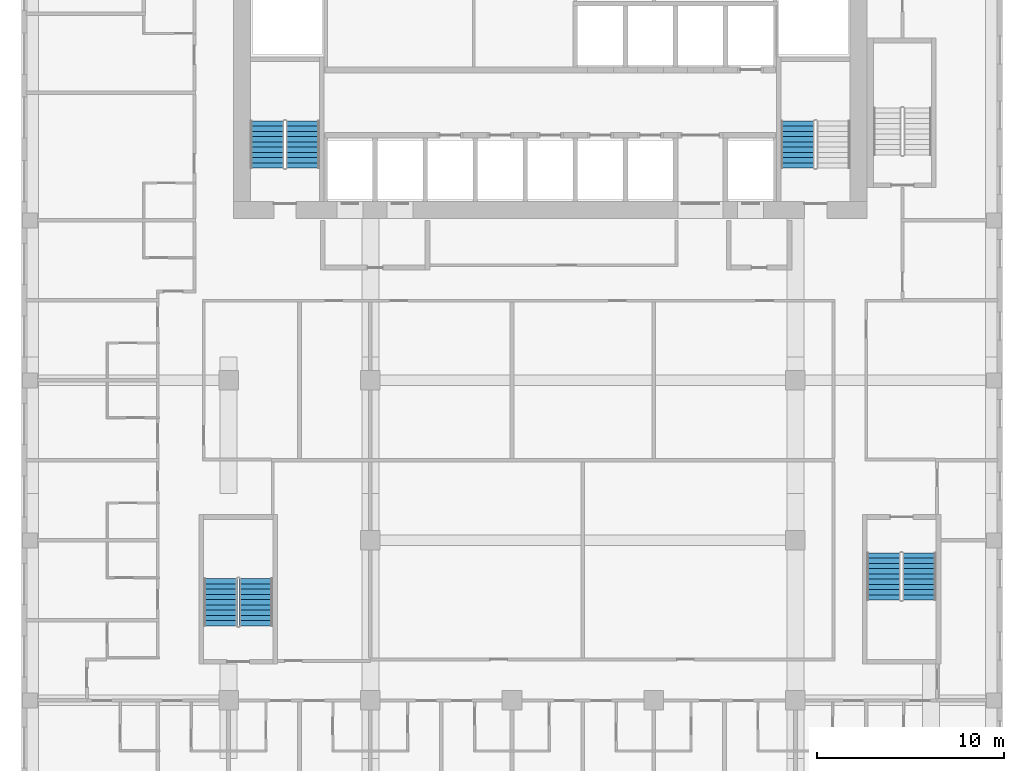
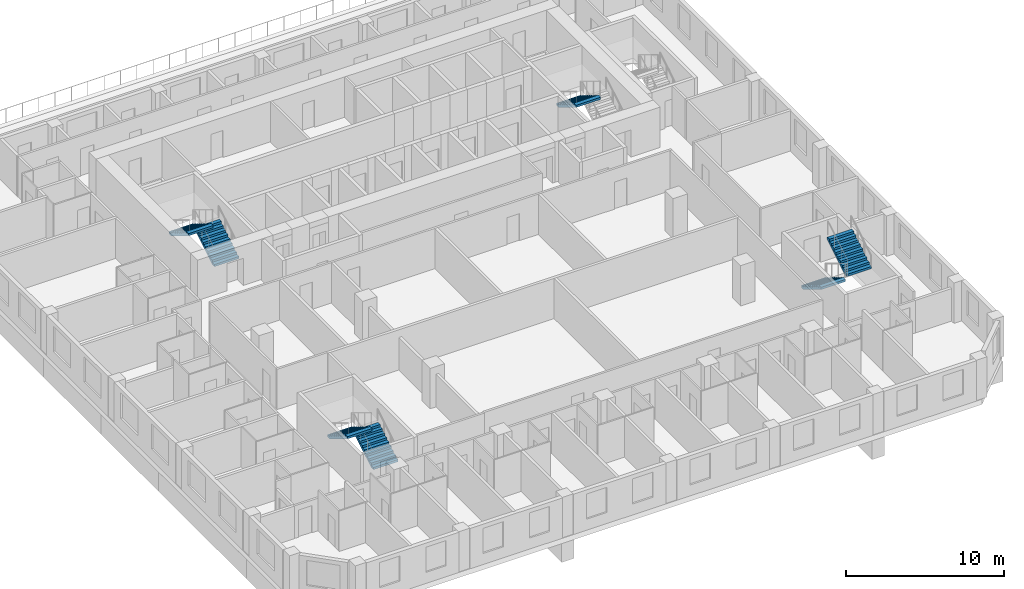
# One storey, part 12 of 16: 7 stair flights, 4 elements without a shape of their own.
"""IFC4 building model written with IfcOpenShell, lengths in metres."""

import ifcopenshell
import ifcopenshell.guid

model = None  # the IFC model being written
_history = None  # IfcOwnerHistory: only IFC2X3 demands one
_inside = {}  # id of a spatial element -> (the spatial element, [elements in it])
_under = {}  # id of a project, library or spatial element -> (it, [spatial elements below it])
_declared = {}  # id of a project -> (the project, [libraries it declares])
_typed = {}  # id of a type object -> (the type object, [elements of that type])
_made_of = {}  # id of a material, layer set ... -> (it, [elements and type objects made of it])


def new_model(schema):
    """Start an empty IFC model of exactly this schema.

    Asked for "IFC4X3", IfcOpenShell would pick the latest addendum, in which some entities
    have other attributes; the version numbers below select the first issue.
    IFC2X3 requires an IfcOwnerHistory on every rooted entity: one is made here for all.
    """
    global model, _history
    if schema == "IFC4X3":
        model = ifcopenshell.file(schema_version=(4, 3, 0, 0))
    else:
        model = ifcopenshell.file(schema=schema)
    _inside.clear()
    _under.clear()
    _declared.clear()
    _typed.clear()
    _made_of.clear()
    _history = None
    if model.schema == "IFC2X3":
        org = make("IfcOrganization", Name="unknown")
        user = make(
            "IfcPersonAndOrganization",
            ThePerson=make("IfcPerson", FamilyName="unknown"),
            TheOrganization=org,
        )
        app = make(
            "IfcApplication",
            ApplicationDeveloper=org,
            Version="unknown",
            ApplicationFullName="unknown",
            ApplicationIdentifier="unknown",
        )
        _history = make(
            "IfcOwnerHistory",
            OwningUser=user,
            OwningApplication=app,
            ChangeAction="ADDED",
            CreationDate=0,
        )
    return model


def make(cls, **values):
    """One entity of the class cls with the attributes given. An attribute that is None is left unset."""
    return model.create_entity(
        cls, **{name: value for name, value in values.items() if value is not None}
    )


def rooted(cls, **values):
    """An entity with a GlobalId (a new one), such as an element, a storey or a relation."""
    return make(cls, GlobalId=ifcopenshell.guid.new(), OwnerHistory=_history, **values)


def si_unit(unit_type, name, prefix=None):
    """IfcSIUnit, for example si_unit("LENGTHUNIT", "METRE", prefix="MILLI")."""
    return make("IfcSIUnit", UnitType=unit_type, Prefix=prefix, Name=name)


def assignment(units):
    """IfcUnitAssignment: the units of a project."""
    return None if units is None else make("IfcUnitAssignment", Units=units)


def point(xyz):
    """IfcCartesianPoint."""
    return None if xyz is None else make("IfcCartesianPoint", Coordinates=xyz)


def direction(xyz):
    """IfcDirection."""
    return None if xyz is None else make("IfcDirection", DirectionRatios=xyz)


def frame(location, z_axis=None, x_axis=None):
    """IfcAxis2Placement3D, a coordinate frame: its origin and axes. An axis left out is left unset."""
    return make(
        "IfcAxis2Placement3D",
        Location=point(location),
        Axis=direction(z_axis),
        RefDirection=direction(x_axis),
    )


def origin():
    """The frame at (0, 0, 0) with its axes left unset."""
    return frame((0.0, 0.0, 0.0))


def place(relative_to, where):
    """IfcLocalPlacement: puts the frame where relative to a parent placement (None: the world)."""
    return make(
        "IfcLocalPlacement", PlacementRelTo=relative_to, RelativePlacement=where
    )


def context(
    kind, dimensions, precision=None, world=None, true_north=None, identifier=None
):
    """IfcGeometricRepresentationContext, for example the 3D "Model" context."""
    return make(
        "IfcGeometricRepresentationContext",
        ContextIdentifier=identifier,
        ContextType=kind,
        CoordinateSpaceDimension=dimensions,
        Precision=precision,
        WorldCoordinateSystem=world,
        TrueNorth=true_north,
    )


def subcontext(parent, identifier, kind, view, scale=None):
    """IfcGeometricRepresentationSubContext, for example "Body" below "Model"."""
    return make(
        "IfcGeometricRepresentationSubContext",
        ContextIdentifier=identifier,
        ContextType=kind,
        ParentContext=parent,
        TargetScale=scale,
        TargetView=view,
    )


def project(units=None, contexts=None):
    """IfcProject with its units and contexts."""
    return rooted(
        "IfcProject",
        Name="project",
        RepresentationContexts=contexts,
        UnitsInContext=assignment(units),
    )


def spatial(cls, under=None, at=None, **own):
    """A site, building, storey or space (cls), placed at a placement, below another one or the project."""
    s = rooted(cls, ObjectPlacement=at, **own)
    if under is not None:
        _under.setdefault(under.id(), (under, []))[1].append(s)
    return s


def point_list(points):
    """IfcCartesianPointList2D or 3D."""
    cls = (
        "IfcCartesianPointList2D" if len(points[0]) == 2 else "IfcCartesianPointList3D"
    )
    return make(cls, CoordList=points)


def triangles(points, corners, closed=None, point_numbers=None):
    """IfcTriangulatedFaceSet: each triangle names its three corners, points numbered from 1."""
    return make(
        "IfcTriangulatedFaceSet",
        Coordinates=point_list(points),
        Closed=closed,
        CoordIndex=corners,
        PnIndex=point_numbers,
    )


def shape(context_of_items, identifier, shape_type, items):
    """IfcShapeRepresentation: the items that make up one representation, for example the "Body"."""
    return make(
        "IfcShapeRepresentation",
        ContextOfItems=context_of_items,
        RepresentationIdentifier=identifier,
        RepresentationType=shape_type,
        Items=items,
    )


def source(mapping_origin, context_of_items, identifier, shape_type, items):
    """IfcRepresentationMap: a shape defined once, which mapped items show again and again."""
    return make(
        "IfcRepresentationMap",
        MappingOrigin=mapping_origin,
        MappedRepresentation=shape(context_of_items, identifier, shape_type, items),
    )


def transform(
    local_origin,
    x_axis=None,
    y_axis=None,
    z_axis=None,
    scale=None,
    scale2=None,
    scale3=None,
    uniform=True,
):
    """IfcCartesianTransformationOperator3D, or its non-uniform kind. x_axis, y_axis, z_axis: its Axis1, 2, 3."""
    if uniform:
        return make(
            "IfcCartesianTransformationOperator3D",
            Axis1=direction(x_axis),
            Axis2=direction(y_axis),
            LocalOrigin=point(local_origin),
            Scale=scale,
            Axis3=direction(z_axis),
        )
    return make(
        "IfcCartesianTransformationOperator3DnonUniform",
        Axis1=direction(x_axis),
        Axis2=direction(y_axis),
        LocalOrigin=point(local_origin),
        Scale=scale,
        Axis3=direction(z_axis),
        Scale2=scale2,
        Scale3=scale3,
    )


def mapped(mapping_source, mapping_target):
    """IfcMappedItem: shows the shape of a source again, moved by a transform."""
    return make(
        "IfcMappedItem", MappingSource=mapping_source, MappingTarget=mapping_target
    )


def material(Name=None, Category=None):
    """IfcMaterial."""
    return make("IfcMaterial", Name=Name, Category=Category)


def made_of(thing, what):
    """Note that an element or type object is made of a material, layer set ...; save() writes the relation."""
    if what is not None:
        _made_of.setdefault(what.id(), (what, []))[1].append(thing)
    return thing


def type_object(cls, material=None, **own):
    """A type object (cls), such as IfcWallType, which elements share."""
    return made_of(rooted(cls, **own), material)


def element(
    cls,
    number,
    at=None,
    inside=None,
    cuts=None,
    type_object=None,
    material=None,
    context=None,
    identifier="Body",
    shape_type=None,
    held_by="IfcProductDefinitionShape",
    body=None,
    shapes=None,
    **own,
):
    """One element of the class cls, such as IfcWall. Its Tag is "e" and its number.

    at: its placement. inside: the storey or other place that contains it. cuts: it is an
    opening in that element (IfcRelVoidsElement). A single representation is given by context,
    identifier, shape_type and body (its items); several are given by shapes. held_by: the class
    of the entity that holds the representations. save() writes the other relations.
    """
    e = rooted(cls, Tag="e%d" % number, ObjectPlacement=at, **own)
    if body is not None:
        shapes = [shape(context, identifier, shape_type, body)]
    if shapes is not None:
        e.Representation = make(held_by, Representations=shapes)
    if inside is not None:
        _inside.setdefault(inside.id(), (inside, []))[1].append(e)
    if cuts is not None:
        rooted(
            "IfcRelVoidsElement", RelatingBuildingElement=cuts, RelatedOpeningElement=e
        )
    if type_object is not None:
        _typed.setdefault(type_object.id(), (type_object, []))[1].append(e)
    return made_of(e, material)


def aggregate(whole, parts):
    """IfcRelAggregates: a whole, such as a stair, and the parts it consists of."""
    return rooted("IfcRelAggregates", RelatingObject=whole, RelatedObjects=parts)


def save(model, path):
    """Write the relations noted so far, then the file.

    IfcRelAggregates (storeys below a building ...), IfcRelContainedInSpatialStructure (elements
    in a storey), IfcRelDefinesByType, IfcRelAssociatesMaterial and IfcRelDeclares: one each for
    every whole, place, type object, material and project.
    """
    for whole, parts in _under.values():
        aggregate(whole, parts)
    for where, things in _inside.values():
        rooted(
            "IfcRelContainedInSpatialStructure",
            RelatedElements=things,
            RelatingStructure=where,
        )
    for kind, things in _typed.values():
        rooted("IfcRelDefinesByType", RelatedObjects=things, RelatingType=kind)
    for what, things in _made_of.values():
        rooted("IfcRelAssociatesMaterial", RelatedObjects=things, RelatingMaterial=what)
    for by, libraries in _declared.values():
        rooted("IfcRelDeclares", RelatingContext=by, RelatedDefinitions=libraries)
    model.write(path)


model = new_model("IFC4")

# Units and contexts
model_context = context("Model", 3, precision=1e-05, world=origin(), true_north=direction((0.0, 1.0)))
body_context = subcontext(model_context, "Body", "Model", "MODEL_VIEW")
ifc_project = project(units=[si_unit("LENGTHUNIT", "METRE"), si_unit("AREAUNIT", "SQUARE_METRE"), si_unit("VOLUMEUNIT", "CUBIC_METRE"), si_unit("PLANEANGLEUNIT", "RADIAN"), si_unit("MASSUNIT", "GRAM", prefix="KILO")], contexts=[model_context])

# Site, building, storey
site_placement = place(None, origin())
site = spatial("IfcSite", under=ifc_project, at=site_placement, CompositionType="ELEMENT")
building_placement = place(site_placement, origin())
building = spatial("IfcBuilding", under=site, at=building_placement, Name="Kilnfold Tower and Market Hall", CompositionType="ELEMENT")
storey_placement = place(building_placement, frame((0.0, 0.0, 168.5)))
storey = spatial("IfcBuildingStorey", under=building, at=storey_placement, Name="L39", CompositionType="ELEMENT", Elevation=168.5)

# Stair, stair flights
ifc_material_1 = material(Name="Concrete C40/50", Category="concrete")
stair_type = type_object("IfcStairType", Name="CORE STAIR 1800", PredefinedType="HALF_TURN_STAIR", material=ifc_material_1)
stair_1_placement = place(storey_placement, origin())
stair_1 = element("IfcStair", 1, at=stair_1_placement, inside=storey, type_object=stair_type, Name="L39 ST1", PredefinedType="HALF_TURN_STAIR")
ifc_material_2 = material(Name="Concrete C40/50", Category="concrete")
stair_flight_type = type_object("IfcStairFlightType", Name="CORE STAIR FLIGHT 1800", PredefinedType="STRAIGHT", material=ifc_material_2)
shared_shape = source(origin(), body_context, "Body", "Tessellation", [
    triangles([(0.0, 0.89990234375, 0.0), (0.0, 0.78759765625, 0.0), (0.0, 0.675048828125, 0.0), (0.0, 0.5625, 0.0), (0.0, 0.449951171875, 0.0), (0.0, 0.33740234375, 0.0), (0.0, 0.22509765625, 0.0), (0.0, 0.112548828125, 0.0), (0.0, 0.0, 0.0), (0.0, -0.112548828125, 0.0), (0.0, -0.22509765625, 0.0), (0.0, -0.33740234375, 0.0), (0.0, -0.449951171875, 0.0), (0.0, -0.5625, 0.0), (0.0, -0.675048828125, 0.0), (0.0, -0.78759765625, 0.0), (0.0, -0.89990234375, 0.0), (0.0, 0.89990234375, 0.169921875), (0.0, 0.78759765625, 0.169921875), (0.0, 0.675048828125, 0.169921875), (0.0, 0.5625, 0.169921875), (0.0, 0.449951171875, 0.169921875), (0.0, 0.33740234375, 0.169921875), (0.0, 0.22509765625, 0.169921875), (0.0, 0.112548828125, 0.169921875), (0.0, 0.0, 0.169921875), (0.0, -0.112548828125, 0.169921875), (0.0, -0.22509765625, 0.169921875), (0.0, -0.33740234375, 0.169921875), (0.0, -0.449951171875, 0.169921875), (0.0, -0.5625, 0.169921875), (0.0, -0.675048828125, 0.169921875), (0.0, -0.78759765625, 0.169921875), (0.0, -0.89990234375, 0.169921875), (0.280029296875, 0.89990234375, 0.169921875), (0.280029296875, 0.78759765625, 0.169921875), (0.280029296875, 0.675048828125, 0.169921875), (0.280029296875, 0.5625, 0.169921875), (0.280029296875, 0.449951171875, 0.169921875), (0.280029296875, 0.33740234375, 0.169921875), (0.280029296875, 0.22509765625, 0.169921875), (0.280029296875, 0.112548828125, 0.169921875), (0.280029296875, 0.0, 0.169921875), (0.280029296875, -0.112548828125, 0.169921875), (0.280029296875, -0.22509765625, 0.169921875), (0.280029296875, -0.33740234375, 0.169921875), (0.280029296875, -0.449951171875, 0.169921875), (0.280029296875, -0.5625, 0.169921875), (0.280029296875, -0.675048828125, 0.169921875), (0.280029296875, -0.78759765625, 0.169921875), (0.280029296875, -0.89990234375, 0.169921875), (0.280029296875, 0.89990234375, 0.340087890625), (0.280029296875, 0.78759765625, 0.340087890625), (0.280029296875, 0.675048828125, 0.340087890625), (0.280029296875, 0.5625, 0.340087890625), (0.280029296875, 0.449951171875, 0.340087890625), (0.280029296875, 0.33740234375, 0.340087890625), (0.280029296875, 0.22509765625, 0.340087890625), (0.280029296875, 0.112548828125, 0.340087890625), (0.280029296875, 0.0, 0.340087890625), (0.280029296875, -0.112548828125, 0.340087890625), (0.280029296875, -0.22509765625, 0.340087890625), (0.280029296875, -0.33740234375, 0.340087890625), (0.280029296875, -0.449951171875, 0.340087890625), (0.280029296875, -0.5625, 0.340087890625), (0.280029296875, -0.675048828125, 0.340087890625), (0.280029296875, -0.78759765625, 0.340087890625), (0.280029296875, -0.89990234375, 0.340087890625), (0.56005859375, 0.89990234375, 0.340087890625), (0.56005859375, 0.78759765625, 0.340087890625), (0.56005859375, 0.675048828125, 0.340087890625), (0.56005859375, 0.5625, 0.340087890625), (0.56005859375, 0.449951171875, 0.340087890625), (0.56005859375, 0.33740234375, 0.340087890625), (0.56005859375, 0.22509765625, 0.340087890625), (0.56005859375, 0.112548828125, 0.340087890625), (0.56005859375, 0.0, 0.340087890625), (0.56005859375, -0.112548828125, 0.340087890625), (0.56005859375, -0.22509765625, 0.340087890625), (0.56005859375, -0.33740234375, 0.340087890625), (0.56005859375, -0.449951171875, 0.340087890625), (0.56005859375, -0.5625, 0.340087890625), (0.56005859375, -0.675048828125, 0.340087890625), (0.56005859375, -0.78759765625, 0.340087890625), (0.56005859375, -0.89990234375, 0.340087890625), (0.56005859375, 0.89990234375, 0.510009765625), (0.56005859375, 0.78759765625, 0.510009765625), (0.56005859375, 0.675048828125, 0.510009765625), (0.56005859375, 0.5625, 0.510009765625), (0.56005859375, 0.449951171875, 0.510009765625), (0.56005859375, 0.33740234375, 0.510009765625), (0.56005859375, 0.22509765625, 0.510009765625), (0.56005859375, 0.112548828125, 0.510009765625), (0.56005859375, 0.0, 0.510009765625), (0.56005859375, -0.112548828125, 0.510009765625), (0.56005859375, -0.22509765625, 0.510009765625), (0.56005859375, -0.33740234375, 0.510009765625), (0.56005859375, -0.449951171875, 0.510009765625), (0.56005859375, -0.5625, 0.510009765625), (0.56005859375, -0.675048828125, 0.510009765625), (0.56005859375, -0.78759765625, 0.510009765625), (0.56005859375, -0.89990234375, 0.510009765625), (0.840087890625, 0.89990234375, 0.510009765625), (0.840087890625, 0.78759765625, 0.510009765625), (0.840087890625, 0.675048828125, 0.510009765625), (0.840087890625, 0.5625, 0.510009765625), (0.840087890625, 0.449951171875, 0.510009765625), (0.840087890625, 0.33740234375, 0.510009765625), (0.840087890625, 0.22509765625, 0.510009765625), (0.840087890625, 0.112548828125, 0.510009765625), (0.840087890625, 0.0, 0.510009765625), (0.840087890625, -0.112548828125, 0.510009765625), (0.840087890625, -0.22509765625, 0.510009765625), (0.840087890625, -0.33740234375, 0.510009765625), (0.840087890625, -0.449951171875, 0.510009765625), (0.840087890625, -0.5625, 0.510009765625), (0.840087890625, -0.675048828125, 0.510009765625), (0.840087890625, -0.78759765625, 0.510009765625), (0.840087890625, -0.89990234375, 0.510009765625), (0.840087890625, 0.89990234375, 0.679931640625), (0.840087890625, 0.78759765625, 0.679931640625), (0.840087890625, 0.675048828125, 0.679931640625), (0.840087890625, 0.5625, 0.679931640625), (0.840087890625, 0.449951171875, 0.679931640625), (0.840087890625, 0.33740234375, 0.679931640625), (0.840087890625, 0.22509765625, 0.679931640625), (0.840087890625, 0.112548828125, 0.679931640625), (0.840087890625, 0.0, 0.679931640625), (0.840087890625, -0.112548828125, 0.679931640625), (0.840087890625, -0.22509765625, 0.679931640625), (0.840087890625, -0.33740234375, 0.679931640625), (0.840087890625, -0.449951171875, 0.679931640625), (0.840087890625, -0.5625, 0.679931640625), (0.840087890625, -0.675048828125, 0.679931640625), (0.840087890625, -0.78759765625, 0.679931640625), (0.840087890625, -0.89990234375, 0.679931640625), (1.1201171875, 0.89990234375, 0.679931640625), (1.1201171875, 0.78759765625, 0.679931640625), (1.1201171875, 0.675048828125, 0.679931640625), (1.1201171875, 0.5625, 0.679931640625), (1.1201171875, 0.449951171875, 0.679931640625), (1.1201171875, 0.33740234375, 0.679931640625), (1.1201171875, 0.22509765625, 0.679931640625), (1.1201171875, 0.112548828125, 0.679931640625), (1.1201171875, 0.0, 0.679931640625), (1.1201171875, -0.112548828125, 0.679931640625), (1.1201171875, -0.22509765625, 0.679931640625), (1.1201171875, -0.33740234375, 0.679931640625), (1.1201171875, -0.449951171875, 0.679931640625), (1.1201171875, -0.5625, 0.679931640625), (1.1201171875, -0.675048828125, 0.679931640625), (1.1201171875, -0.78759765625, 0.679931640625), (1.1201171875, -0.89990234375, 0.679931640625), (1.1201171875, 0.89990234375, 0.85009765625), (1.1201171875, 0.78759765625, 0.85009765625), (1.1201171875, 0.675048828125, 0.85009765625), (1.1201171875, 0.5625, 0.85009765625), (1.1201171875, 0.449951171875, 0.85009765625), (1.1201171875, 0.33740234375, 0.85009765625), (1.1201171875, 0.22509765625, 0.85009765625), (1.1201171875, 0.112548828125, 0.85009765625), (1.1201171875, 0.0, 0.85009765625), (1.1201171875, -0.112548828125, 0.85009765625), (1.1201171875, -0.22509765625, 0.85009765625), (1.1201171875, -0.33740234375, 0.85009765625), (1.1201171875, -0.449951171875, 0.85009765625), (1.1201171875, -0.5625, 0.85009765625), (1.1201171875, -0.675048828125, 0.85009765625), (1.1201171875, -0.78759765625, 0.85009765625), (1.1201171875, -0.89990234375, 0.85009765625), (1.39990234375, 0.89990234375, 0.85009765625), (1.39990234375, 0.78759765625, 0.85009765625), (1.39990234375, 0.675048828125, 0.85009765625), (1.39990234375, 0.5625, 0.85009765625), (1.39990234375, 0.449951171875, 0.85009765625), (1.39990234375, 0.33740234375, 0.85009765625), (1.39990234375, 0.22509765625, 0.85009765625), (1.39990234375, 0.112548828125, 0.85009765625), (1.39990234375, 0.0, 0.85009765625), (1.39990234375, -0.112548828125, 0.85009765625), (1.39990234375, -0.22509765625, 0.85009765625), (1.39990234375, -0.33740234375, 0.85009765625), (1.39990234375, -0.449951171875, 0.85009765625), (1.39990234375, -0.5625, 0.85009765625), (1.39990234375, -0.675048828125, 0.85009765625), (1.39990234375, -0.78759765625, 0.85009765625), (1.39990234375, -0.89990234375, 0.85009765625), (1.39990234375, 0.89990234375, 1.02001953125), (1.39990234375, 0.78759765625, 1.02001953125), (1.39990234375, 0.675048828125, 1.02001953125), (1.39990234375, 0.5625, 1.02001953125), (1.39990234375, 0.449951171875, 1.02001953125), (1.39990234375, 0.33740234375, 1.02001953125), (1.39990234375, 0.22509765625, 1.02001953125), (1.39990234375, 0.112548828125, 1.02001953125), (1.39990234375, 0.0, 1.02001953125), (1.39990234375, -0.112548828125, 1.02001953125), (1.39990234375, -0.22509765625, 1.02001953125), (1.39990234375, -0.33740234375, 1.02001953125), (1.39990234375, -0.449951171875, 1.02001953125), (1.39990234375, -0.5625, 1.02001953125), (1.39990234375, -0.675048828125, 1.02001953125), (1.39990234375, -0.78759765625, 1.02001953125), (1.39990234375, -0.89990234375, 1.02001953125), (1.679931640625, 0.89990234375, 1.02001953125), (1.679931640625, 0.78759765625, 1.02001953125), (1.679931640625, 0.675048828125, 1.02001953125), (1.679931640625, 0.5625, 1.02001953125), (1.679931640625, 0.449951171875, 1.02001953125), (1.679931640625, 0.33740234375, 1.02001953125), (1.679931640625, 0.22509765625, 1.02001953125), (1.679931640625, 0.112548828125, 1.02001953125), (1.679931640625, 0.0, 1.02001953125), (1.679931640625, -0.112548828125, 1.02001953125), (1.679931640625, -0.22509765625, 1.02001953125), (1.679931640625, -0.33740234375, 1.02001953125), (1.679931640625, -0.449951171875, 1.02001953125), (1.679931640625, -0.5625, 1.02001953125), (1.679931640625, -0.675048828125, 1.02001953125), (1.679931640625, -0.78759765625, 1.02001953125), (1.679931640625, -0.89990234375, 1.02001953125), (1.679931640625, 0.89990234375, 1.18994140625), (1.679931640625, 0.78759765625, 1.18994140625), (1.679931640625, 0.675048828125, 1.18994140625), (1.679931640625, 0.5625, 1.18994140625), (1.679931640625, 0.449951171875, 1.18994140625), (1.679931640625, 0.33740234375, 1.18994140625), (1.679931640625, 0.22509765625, 1.18994140625), (1.679931640625, 0.112548828125, 1.18994140625), (1.679931640625, 0.0, 1.18994140625), (1.679931640625, -0.112548828125, 1.18994140625), (1.679931640625, -0.22509765625, 1.18994140625), (1.679931640625, -0.33740234375, 1.18994140625), (1.679931640625, -0.449951171875, 1.18994140625), (1.679931640625, -0.5625, 1.18994140625), (1.679931640625, -0.675048828125, 1.18994140625), (1.679931640625, -0.78759765625, 1.18994140625), (1.679931640625, -0.89990234375, 1.18994140625), (1.9599609375, 0.89990234375, 1.18994140625), (1.9599609375, 0.78759765625, 1.18994140625), (1.9599609375, 0.675048828125, 1.18994140625), (1.9599609375, 0.5625, 1.18994140625), (1.9599609375, 0.449951171875, 1.18994140625), (1.9599609375, 0.33740234375, 1.18994140625), (1.9599609375, 0.22509765625, 1.18994140625), (1.9599609375, 0.112548828125, 1.18994140625), (1.9599609375, 0.0, 1.18994140625), (1.9599609375, -0.112548828125, 1.18994140625), (1.9599609375, -0.22509765625, 1.18994140625), (1.9599609375, -0.33740234375, 1.18994140625), (1.9599609375, -0.449951171875, 1.18994140625), (1.9599609375, -0.5625, 1.18994140625), (1.9599609375, -0.675048828125, 1.18994140625), (1.9599609375, -0.78759765625, 1.18994140625), (1.9599609375, -0.89990234375, 1.18994140625), (1.9599609375, 0.89990234375, 1.360107421875), (1.9599609375, 0.78759765625, 1.360107421875), (1.9599609375, 0.675048828125, 1.360107421875), (1.9599609375, 0.5625, 1.360107421875), (1.9599609375, 0.449951171875, 1.360107421875), (1.9599609375, 0.33740234375, 1.360107421875), (1.9599609375, 0.22509765625, 1.360107421875), (1.9599609375, 0.112548828125, 1.360107421875), (1.9599609375, 0.0, 1.360107421875), (1.9599609375, -0.112548828125, 1.360107421875), (1.9599609375, -0.22509765625, 1.360107421875), (1.9599609375, -0.33740234375, 1.360107421875), (1.9599609375, -0.449951171875, 1.360107421875), (1.9599609375, -0.5625, 1.360107421875), (1.9599609375, -0.675048828125, 1.360107421875), (1.9599609375, -0.78759765625, 1.360107421875), (1.9599609375, -0.89990234375, 1.360107421875), (2.239990234375, 0.89990234375, 1.360107421875), (2.239990234375, 0.78759765625, 1.360107421875), (2.239990234375, 0.675048828125, 1.360107421875), (2.239990234375, 0.5625, 1.360107421875), (2.239990234375, 0.449951171875, 1.360107421875), (2.239990234375, 0.33740234375, 1.360107421875), (2.239990234375, 0.22509765625, 1.360107421875), (2.239990234375, 0.112548828125, 1.360107421875), (2.239990234375, 0.0, 1.360107421875), (2.239990234375, -0.112548828125, 1.360107421875), (2.239990234375, -0.22509765625, 1.360107421875), (2.239990234375, -0.33740234375, 1.360107421875), (2.239990234375, -0.449951171875, 1.360107421875), (2.239990234375, -0.5625, 1.360107421875), (2.239990234375, -0.675048828125, 1.360107421875), (2.239990234375, -0.78759765625, 1.360107421875), (2.239990234375, -0.89990234375, 1.360107421875), (2.239990234375, 0.89990234375, 1.530029296875), (2.239990234375, 0.78759765625, 1.530029296875), (2.239990234375, 0.675048828125, 1.530029296875), (2.239990234375, 0.5625, 1.530029296875), (2.239990234375, 0.449951171875, 1.530029296875), (2.239990234375, 0.33740234375, 1.530029296875), (2.239990234375, 0.22509765625, 1.530029296875), (2.239990234375, 0.112548828125, 1.530029296875), (2.239990234375, 0.0, 1.530029296875), (2.239990234375, -0.112548828125, 1.530029296875), (2.239990234375, -0.22509765625, 1.530029296875), (2.239990234375, -0.33740234375, 1.530029296875), (2.239990234375, -0.449951171875, 1.530029296875), (2.239990234375, -0.5625, 1.530029296875), (2.239990234375, -0.675048828125, 1.530029296875), (2.239990234375, -0.78759765625, 1.530029296875), (2.239990234375, -0.89990234375, 1.530029296875), (2.52001953125, 0.89990234375, 1.530029296875), (2.52001953125, 0.78759765625, 1.530029296875), (2.52001953125, 0.675048828125, 1.530029296875), (2.52001953125, 0.5625, 1.530029296875), (2.52001953125, 0.449951171875, 1.530029296875), (2.52001953125, 0.33740234375, 1.530029296875), (2.52001953125, 0.22509765625, 1.530029296875), (2.52001953125, 0.112548828125, 1.530029296875), (2.52001953125, 0.0, 1.530029296875), (2.52001953125, -0.112548828125, 1.530029296875), (2.52001953125, -0.22509765625, 1.530029296875), (2.52001953125, -0.33740234375, 1.530029296875), (2.52001953125, -0.449951171875, 1.530029296875), (2.52001953125, -0.5625, 1.530029296875), (2.52001953125, -0.675048828125, 1.530029296875), (2.52001953125, -0.78759765625, 1.530029296875), (2.52001953125, -0.89990234375, 1.530029296875), (2.52001953125, 0.89990234375, 1.354736328125), (2.52001953125, 0.78759765625, 1.354736328125), (2.52001953125, 0.675048828125, 1.354736328125), (2.52001953125, 0.5625, 1.354736328125), (2.52001953125, 0.449951171875, 1.354736328125), (2.52001953125, 0.33740234375, 1.354736328125), (2.52001953125, 0.22509765625, 1.354736328125), (2.52001953125, 0.112548828125, 1.354736328125), (2.52001953125, 0.0, 1.354736328125), (2.52001953125, -0.112548828125, 1.354736328125), (2.52001953125, -0.22509765625, 1.354736328125), (2.52001953125, -0.33740234375, 1.354736328125), (2.52001953125, -0.449951171875, 1.354736328125), (2.52001953125, -0.5625, 1.354736328125), (2.52001953125, -0.675048828125, 1.354736328125), (2.52001953125, -0.78759765625, 1.354736328125), (2.52001953125, -0.89990234375, 1.354736328125), (0.288818359375, 0.89990234375, 0.0), (0.288818359375, 0.78759765625, 0.0), (0.288818359375, 0.675048828125, 0.0), (0.288818359375, 0.5625, 0.0), (0.288818359375, 0.449951171875, 0.0), (0.288818359375, 0.33740234375, 0.0), (0.288818359375, 0.22509765625, 0.0), (0.288818359375, 0.112548828125, 0.0), (0.288818359375, 0.0, 0.0), (0.288818359375, -0.112548828125, 0.0), (0.288818359375, -0.22509765625, 0.0), (0.288818359375, -0.33740234375, 0.0), (0.288818359375, -0.449951171875, 0.0), (0.288818359375, -0.5625, 0.0), (0.288818359375, -0.675048828125, 0.0), (0.288818359375, -0.78759765625, 0.0), (0.288818359375, -0.89990234375, 0.0)], [[1, 324, 341], [17, 357, 340], [324, 290, 307], [340, 323, 306], [324, 273, 290], [340, 306, 289], [324, 256, 273], [340, 289, 272], [324, 239, 256], [340, 272, 255], [239, 205, 222], [255, 238, 221], [324, 205, 239], [340, 255, 221], [205, 171, 188], [221, 204, 187], [324, 171, 205], [340, 221, 187], [171, 137, 154], [187, 170, 153], [324, 137, 171], [340, 187, 153], [137, 103, 120], [153, 136, 119], [324, 103, 137], [340, 153, 119], [103, 69, 86], [119, 102, 85], [324, 69, 103], [340, 119, 85], [69, 35, 52], [85, 68, 51], [324, 35, 69], [340, 85, 51], [1, 35, 324], [17, 340, 51], [35, 1, 18], [51, 34, 17], [1, 19, 18], [1, 2, 19], [2, 20, 19], [2, 3, 20], [3, 21, 20], [3, 4, 21], [4, 22, 21], [4, 5, 22], [5, 23, 22], [5, 6, 23], [6, 24, 23], [6, 7, 24], [7, 25, 24], [7, 8, 25], [8, 26, 25], [8, 9, 26], [9, 27, 26], [9, 10, 27], [10, 28, 27], [10, 11, 28], [11, 29, 28], [11, 12, 29], [12, 30, 29], [12, 13, 30], [13, 31, 30], [13, 14, 31], [14, 32, 31], [14, 15, 32], [15, 33, 32], [15, 16, 33], [16, 34, 33], [16, 17, 34], [18, 36, 35], [18, 19, 36], [19, 37, 36], [19, 20, 37], [20, 38, 37], [20, 21, 38], [21, 39, 38], [21, 22, 39], [22, 40, 39], [22, 23, 40], [23, 41, 40], [23, 24, 41], [24, 42, 41], [24, 25, 42], [25, 43, 42], [25, 26, 43], [26, 44, 43], [26, 27, 44], [27, 45, 44], [27, 28, 45], [28, 46, 45], [28, 29, 46], [29, 47, 46], [29, 30, 47], [30, 48, 47], [30, 31, 48], [31, 49, 48], [31, 32, 49], [32, 50, 49], [32, 33, 50], [33, 51, 50], [33, 34, 51], [35, 53, 52], [35, 36, 53], [36, 54, 53], [36, 37, 54], [37, 55, 54], [37, 38, 55], [38, 56, 55], [38, 39, 56], [39, 57, 56], [39, 40, 57], [40, 58, 57], [40, 41, 58], [41, 59, 58], [41, 42, 59], [42, 60, 59], [42, 43, 60], [43, 61, 60], [43, 44, 61], [44, 62, 61], [44, 45, 62], [45, 63, 62], [45, 46, 63], [46, 64, 63], [46, 47, 64], [47, 65, 64], [47, 48, 65], [48, 66, 65], [48, 49, 66], [49, 67, 66], [49, 50, 67], [50, 68, 67], [50, 51, 68], [52, 70, 69], [52, 53, 70], [53, 71, 70], [53, 54, 71], [54, 72, 71], [54, 55, 72], [55, 73, 72], [55, 56, 73], [56, 74, 73], [56, 57, 74], [57, 75, 74], [57, 58, 75], [58, 76, 75], [58, 59, 76], [59, 77, 76], [59, 60, 77], [60, 78, 77], [60, 61, 78], [61, 79, 78], [61, 62, 79], [62, 80, 79], [62, 63, 80], [63, 81, 80], [63, 64, 81], [64, 82, 81], [64, 65, 82], [65, 83, 82], [65, 66, 83], [66, 84, 83], [66, 67, 84], [67, 85, 84], [67, 68, 85], [69, 87, 86], [69, 70, 87], [70, 88, 87], [70, 71, 88], [71, 89, 88], [71, 72, 89], [72, 90, 89], [72, 73, 90], [73, 91, 90], [73, 74, 91], [74, 92, 91], [74, 75, 92], [75, 93, 92], [75, 76, 93], [76, 94, 93], [76, 77, 94], [77, 95, 94], [77, 78, 95], [78, 96, 95], [78, 79, 96], [79, 97, 96], [79, 80, 97], [80, 98, 97], [80, 81, 98], [81, 99, 98], [81, 82, 99], [82, 100, 99], [82, 83, 100], [83, 101, 100], [83, 84, 101], [84, 102, 101], [84, 85, 102], [86, 104, 103], [86, 87, 104], [87, 105, 104], [87, 88, 105], [88, 106, 105], [88, 89, 106], [89, 107, 106], [89, 90, 107], [90, 108, 107], [90, 91, 108], [91, 109, 108], [91, 92, 109], [92, 110, 109], [92, 93, 110], [93, 111, 110], [93, 94, 111], [94, 112, 111], [94, 95, 112], [95, 113, 112], [95, 96, 113], [96, 114, 113], [96, 97, 114], [97, 115, 114], [97, 98, 115], [98, 116, 115], [98, 99, 116], [99, 117, 116], [99, 100, 117], [100, 118, 117], [100, 101, 118], [101, 119, 118], [101, 102, 119], [103, 121, 120], [103, 104, 121], [104, 122, 121], [104, 105, 122], [105, 123, 122], [105, 106, 123], [106, 124, 123], [106, 107, 124], [107, 125, 124], [107, 108, 125], [108, 126, 125], [108, 109, 126], [109, 127, 126], [109, 110, 127], [110, 128, 127], [110, 111, 128], [111, 129, 128], [111, 112, 129], [112, 130, 129], [112, 113, 130], [113, 131, 130], [113, 114, 131], [114, 132, 131], [114, 115, 132], [115, 133, 132], [115, 116, 133], [116, 134, 133], [116, 117, 134], [117, 135, 134], [117, 118, 135], [118, 136, 135], [118, 119, 136], [120, 138, 137], [120, 121, 138], [121, 139, 138], [121, 122, 139], [122, 140, 139], [122, 123, 140], [123, 141, 140], [123, 124, 141], [124, 142, 141], [124, 125, 142], [125, 143, 142], [125, 126, 143], [126, 144, 143], [126, 127, 144], [127, 145, 144], [127, 128, 145], [128, 146, 145], [128, 129, 146], [129, 147, 146], [129, 130, 147], [130, 148, 147], [130, 131, 148], [131, 149, 148], [131, 132, 149], [132, 150, 149], [132, 133, 150], [133, 151, 150], [133, 134, 151], [134, 152, 151], [134, 135, 152], [135, 153, 152], [135, 136, 153], [137, 155, 154], [137, 138, 155], [138, 156, 155], [138, 139, 156], [139, 157, 156], [139, 140, 157], [140, 158, 157], [140, 141, 158], [141, 159, 158], [141, 142, 159], [142, 160, 159], [142, 143, 160], [143, 161, 160], [143, 144, 161], [144, 162, 161], [144, 145, 162], [145, 163, 162], [145, 146, 163], [146, 164, 163], [146, 147, 164], [147, 165, 164], [147, 148, 165], [148, 166, 165], [148, 149, 166], [149, 167, 166], [149, 150, 167], [150, 168, 167], [150, 151, 168], [151, 169, 168], [151, 152, 169], [152, 170, 169], [152, 153, 170], [154, 172, 171], [154, 155, 172], [155, 173, 172], [155, 156, 173], [156, 174, 173], [156, 157, 174], [157, 175, 174], [157, 158, 175], [158, 176, 175], [158, 159, 176], [159, 177, 176], [159, 160, 177], [160, 178, 177], [160, 161, 178], [161, 179, 178], [161, 162, 179], [162, 180, 179], [162, 163, 180], [163, 181, 180], [163, 164, 181], [164, 182, 181], [164, 165, 182], [165, 183, 182], [165, 166, 183], [166, 184, 183], [166, 167, 184], [167, 185, 184], [167, 168, 185], [168, 186, 185], [168, 169, 186], [169, 187, 186], [169, 170, 187], [171, 189, 188], [171, 172, 189], [172, 190, 189], [172, 173, 190], [173, 191, 190], [173, 174, 191], [174, 192, 191], [174, 175, 192], [175, 193, 192], [175, 176, 193], [176, 194, 193], [176, 177, 194], [177, 195, 194], [177, 178, 195], [178, 196, 195], [178, 179, 196], [179, 197, 196], [179, 180, 197], [180, 198, 197], [180, 181, 198], [181, 199, 198], [181, 182, 199], [182, 200, 199], [182, 183, 200], [183, 201, 200], [183, 184, 201], [184, 202, 201], [184, 185, 202], [185, 203, 202], [185, 186, 203], [186, 204, 203], [186, 187, 204], [188, 206, 205], [188, 189, 206], [189, 207, 206], [189, 190, 207], [190, 208, 207], [190, 191, 208], [191, 209, 208], [191, 192, 209], [192, 210, 209], [192, 193, 210], [193, 211, 210], [193, 194, 211], [194, 212, 211], [194, 195, 212], [195, 213, 212], [195, 196, 213], [196, 214, 213], [196, 197, 214], [197, 215, 214], [197, 198, 215], [198, 216, 215], [198, 199, 216], [199, 217, 216], [199, 200, 217], [200, 218, 217], [200, 201, 218], [201, 219, 218], [201, 202, 219], [202, 220, 219], [202, 203, 220], [203, 221, 220], [203, 204, 221], [205, 223, 222], [205, 206, 223], [206, 224, 223], [206, 207, 224], [207, 225, 224], [207, 208, 225], [208, 226, 225], [208, 209, 226], [209, 227, 226], [209, 210, 227], [210, 228, 227], [210, 211, 228], [211, 229, 228], [211, 212, 229], [212, 230, 229], [212, 213, 230], [213, 231, 230], [213, 214, 231], [214, 232, 231], [214, 215, 232], [215, 233, 232], [215, 216, 233], [216, 234, 233], [216, 217, 234], [217, 235, 234], [217, 218, 235], [218, 236, 235], [218, 219, 236], [219, 237, 236], [219, 220, 237], [220, 238, 237], [220, 221, 238], [222, 240, 239], [222, 223, 240], [223, 241, 240], [223, 224, 241], [224, 242, 241], [224, 225, 242], [225, 243, 242], [225, 226, 243], [226, 244, 243], [226, 227, 244], [227, 245, 244], [227, 228, 245], [228, 246, 245], [228, 229, 246], [229, 247, 246], [229, 230, 247], [230, 248, 247], [230, 231, 248], [231, 249, 248], [231, 232, 249], [232, 250, 249], [232, 233, 250], [233, 251, 250], [233, 234, 251], [234, 252, 251], [234, 235, 252], [235, 253, 252], [235, 236, 253], [236, 254, 253], [236, 237, 254], [237, 255, 254], [237, 238, 255], [239, 257, 256], [239, 240, 257], [240, 258, 257], [240, 241, 258], [241, 259, 258], [241, 242, 259], [242, 260, 259], [242, 243, 260], [243, 261, 260], [243, 244, 261], [244, 262, 261], [244, 245, 262], [245, 263, 262], [245, 246, 263], [246, 264, 263], [246, 247, 264], [247, 265, 264], [247, 248, 265], [248, 266, 265], [248, 249, 266], [249, 267, 266], [249, 250, 267], [250, 268, 267], [250, 251, 268], [251, 269, 268], [251, 252, 269], [252, 270, 269], [252, 253, 270], [253, 271, 270], [253, 254, 271], [254, 272, 271], [254, 255, 272], [256, 274, 273], [256, 257, 274], [257, 275, 274], [257, 258, 275], [258, 276, 275], [258, 259, 276], [259, 277, 276], [259, 260, 277], [260, 278, 277], [260, 261, 278], [261, 279, 278], [261, 262, 279], [262, 280, 279], [262, 263, 280], [263, 281, 280], [263, 264, 281], [264, 282, 281], [264, 265, 282], [265, 283, 282], [265, 266, 283], [266, 284, 283], [266, 267, 284], [267, 285, 284], [267, 268, 285], [268, 286, 285], [268, 269, 286], [269, 287, 286], [269, 270, 287], [270, 288, 287], [270, 271, 288], [271, 289, 288], [271, 272, 289], [273, 291, 290], [273, 274, 291], [274, 292, 291], [274, 275, 292], [275, 293, 292], [275, 276, 293], [276, 294, 293], [276, 277, 294], [277, 295, 294], [277, 278, 295], [278, 296, 295], [278, 279, 296], [279, 297, 296], [279, 280, 297], [280, 298, 297], [280, 281, 298], [281, 299, 298], [281, 282, 299], [282, 300, 299], [282, 283, 300], [283, 301, 300], [283, 284, 301], [284, 302, 301], [284, 285, 302], [285, 303, 302], [285, 286, 303], [286, 304, 303], [286, 287, 304], [287, 305, 304], [287, 288, 305], [288, 306, 305], [288, 289, 306], [290, 308, 307], [290, 291, 308], [291, 309, 308], [291, 292, 309], [292, 310, 309], [292, 293, 310], [293, 311, 310], [293, 294, 311], [294, 312, 311], [294, 295, 312], [295, 313, 312], [295, 296, 313], [296, 314, 313], [296, 297, 314], [297, 315, 314], [297, 298, 315], [298, 316, 315], [298, 299, 316], [299, 317, 316], [299, 300, 317], [300, 318, 317], [300, 301, 318], [301, 319, 318], [301, 302, 319], [302, 320, 319], [302, 303, 320], [303, 321, 320], [303, 304, 321], [304, 322, 321], [304, 305, 322], [305, 323, 322], [305, 306, 323], [307, 325, 324], [307, 308, 325], [308, 326, 325], [308, 309, 326], [309, 327, 326], [309, 310, 327], [310, 328, 327], [310, 311, 328], [311, 329, 328], [311, 312, 329], [312, 330, 329], [312, 313, 330], [313, 331, 330], [313, 314, 331], [314, 332, 331], [314, 315, 332], [315, 333, 332], [315, 316, 333], [316, 334, 333], [316, 317, 334], [317, 335, 334], [317, 318, 335], [318, 336, 335], [318, 319, 336], [319, 337, 336], [319, 320, 337], [320, 338, 337], [320, 321, 338], [321, 339, 338], [321, 322, 339], [322, 340, 339], [322, 323, 340], [324, 342, 341], [324, 325, 342], [325, 343, 342], [325, 326, 343], [326, 344, 343], [326, 327, 344], [327, 345, 344], [327, 328, 345], [328, 346, 345], [328, 329, 346], [329, 347, 346], [329, 330, 347], [330, 348, 347], [330, 331, 348], [331, 349, 348], [331, 332, 349], [332, 350, 349], [332, 333, 350], [333, 351, 350], [333, 334, 351], [334, 352, 351], [334, 335, 352], [335, 353, 352], [335, 336, 353], [336, 354, 353], [336, 337, 354], [337, 355, 354], [337, 338, 355], [338, 356, 355], [338, 339, 356], [339, 357, 356], [339, 340, 357], [341, 2, 1], [341, 342, 2], [342, 3, 2], [342, 343, 3], [343, 4, 3], [343, 344, 4], [344, 5, 4], [344, 345, 5], [345, 6, 5], [345, 346, 6], [346, 7, 6], [346, 347, 7], [347, 8, 7], [347, 348, 8], [348, 9, 8], [348, 349, 9], [349, 10, 9], [349, 350, 10], [350, 11, 10], [350, 351, 11], [351, 12, 11], [351, 352, 12], [352, 13, 12], [352, 353, 13], [353, 14, 13], [353, 354, 14], [354, 15, 14], [354, 355, 15], [355, 16, 15], [355, 356, 16], [356, 17, 16], [356, 357, 17]], closed=True),
])
stair_flight_1_placement = place(storey_placement, frame((-12.199951171875, 10.800048828125, 0.0), z_axis=(0.0, 0.0, 1.0), x_axis=(0.0, 1.0, 0.0)))
stair_flight_1 = element("IfcStairFlight", 2, at=stair_flight_1_placement, type_object=stair_flight_type, Name="ST1 flight 1", NumberOfRisers=10, NumberOfTreads=9, PredefinedType="STRAIGHT", RiserHeight=0.17, TreadLength=0.28, context=body_context, shape_type="MappedRepresentation", body=[
    mapped(shared_shape, transform((0.0, 0.0, 0.0))),
])
stair_flight_2_placement = place(storey_placement, frame((-14.10009765625, 13.320068359375, 1.699951171875), z_axis=(0.0, 0.0, 1.0), x_axis=(0.0, -1.0, 0.0)))
stair_flight_2 = element("IfcStairFlight", 3, at=stair_flight_2_placement, type_object=stair_flight_type, Name="ST1 flight 2", NumberOfRisers=10, NumberOfTreads=9, PredefinedType="STRAIGHT", RiserHeight=0.17, TreadLength=0.28, context=body_context, shape_type="MappedRepresentation", body=[
    mapped(shared_shape, transform((0.0, 0.0, 0.0))),
])
aggregate(stair_1, [stair_flight_1, stair_flight_2])

# Stair, stair flight
stair_2_placement = place(storey_placement, origin())
stair_2 = element("IfcStair", 4, at=stair_2_placement, inside=storey, type_object=stair_type, Name="L39 ST2", PredefinedType="HALF_TURN_STAIR")
stair_flight_3_placement = place(storey_placement, frame((14.300048828125, 13.320068359375, 1.699951171875), z_axis=(0.0, 0.0, 1.0), x_axis=(0.0, -1.0, 0.0)))
stair_flight_3 = element("IfcStairFlight", 5, at=stair_flight_3_placement, type_object=stair_flight_type, Name="ST2 flight 2", NumberOfRisers=10, NumberOfTreads=9, PredefinedType="STRAIGHT", RiserHeight=0.17, TreadLength=0.28, context=body_context, shape_type="MappedRepresentation", body=[
    mapped(shared_shape, transform((0.0, 0.0, 0.0))),
])
aggregate(stair_2, [stair_flight_3])

# Stair, stair flights
stair_3_placement = place(storey_placement, origin())
stair_3 = element("IfcStair", 6, at=stair_3_placement, inside=storey, type_object=stair_type, Name="L39 ST3", PredefinedType="HALF_TURN_STAIR")
stair_flight_4_placement = place(storey_placement, frame((-14.699951171875, -13.699951171875, 0.0), z_axis=(0.0, 0.0, 1.0), x_axis=(0.0, 1.0, 0.0)))
stair_flight_4 = element("IfcStairFlight", 7, at=stair_flight_4_placement, type_object=stair_flight_type, Name="ST3 flight 1", NumberOfRisers=10, NumberOfTreads=9, PredefinedType="STRAIGHT", RiserHeight=0.17, TreadLength=0.28, context=body_context, shape_type="MappedRepresentation", body=[
    mapped(shared_shape, transform((0.0, 0.0, 0.0))),
])
stair_flight_5_placement = place(storey_placement, frame((-16.60009765625, -11.179931640625, 1.699951171875), z_axis=(0.0, 0.0, 1.0), x_axis=(0.0, -1.0, 0.0)))
stair_flight_5 = element("IfcStairFlight", 8, at=stair_flight_5_placement, type_object=stair_flight_type, Name="ST3 flight 2", NumberOfRisers=10, NumberOfTreads=9, PredefinedType="STRAIGHT", RiserHeight=0.17, TreadLength=0.28, context=body_context, shape_type="MappedRepresentation", body=[
    mapped(shared_shape, transform((0.0, 0.0, 0.0))),
])
aggregate(stair_3, [stair_flight_4, stair_flight_5])

stair_4_placement = place(storey_placement, origin())
stair_4 = element("IfcStair", 9, at=stair_4_placement, inside=storey, type_object=stair_type, Name="L39 ST4", PredefinedType="HALF_TURN_STAIR")
stair_flight_6_placement = place(storey_placement, frame((18.89990234375, -9.800048828125, 0.0), z_axis=(0.0, 0.0, 1.0), x_axis=(0.0, -1.0, 0.0)))
stair_flight_6 = element("IfcStairFlight", 10, at=stair_flight_6_placement, type_object=stair_flight_type, Name="ST4 flight 1", NumberOfRisers=10, NumberOfTreads=9, PredefinedType="STRAIGHT", RiserHeight=0.17, TreadLength=0.28, context=body_context, shape_type="MappedRepresentation", body=[
    mapped(shared_shape, transform((0.0, 0.0, 0.0))),
])
stair_flight_7_placement = place(storey_placement, frame((20.800048828125, -12.320068359375, 1.699951171875), z_axis=(0.0, 0.0, 1.0), x_axis=(0.0, 1.0, 0.0)))
stair_flight_7 = element("IfcStairFlight", 11, at=stair_flight_7_placement, type_object=stair_flight_type, Name="ST4 flight 2", NumberOfRisers=10, NumberOfTreads=9, PredefinedType="STRAIGHT", RiserHeight=0.17, TreadLength=0.28, context=body_context, shape_type="MappedRepresentation", body=[
    mapped(shared_shape, transform((0.0, 0.0, 0.0))),
])
aggregate(stair_4, [stair_flight_6, stair_flight_7])

save(model, "model.ifc")
